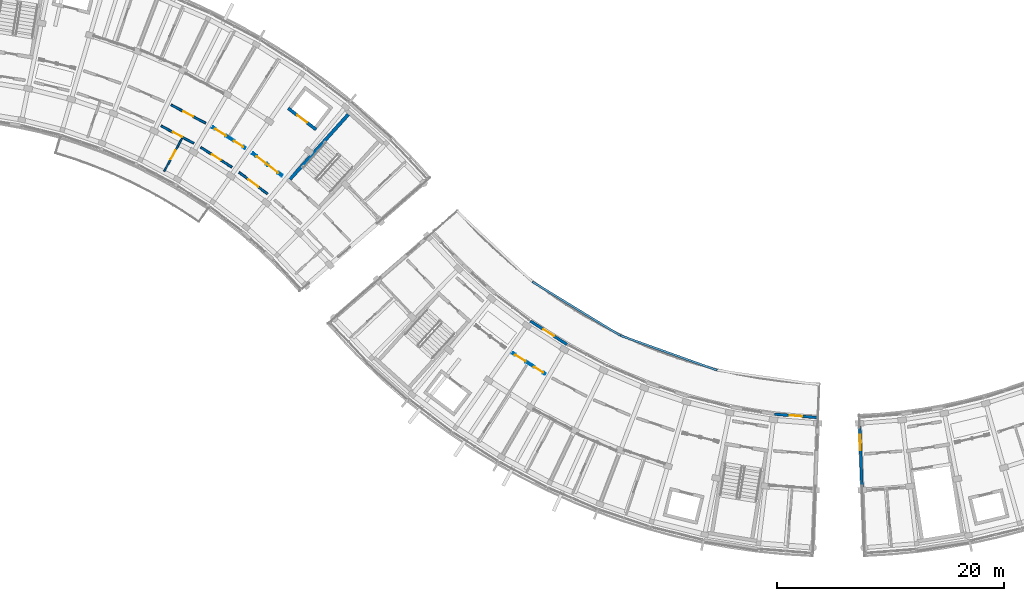
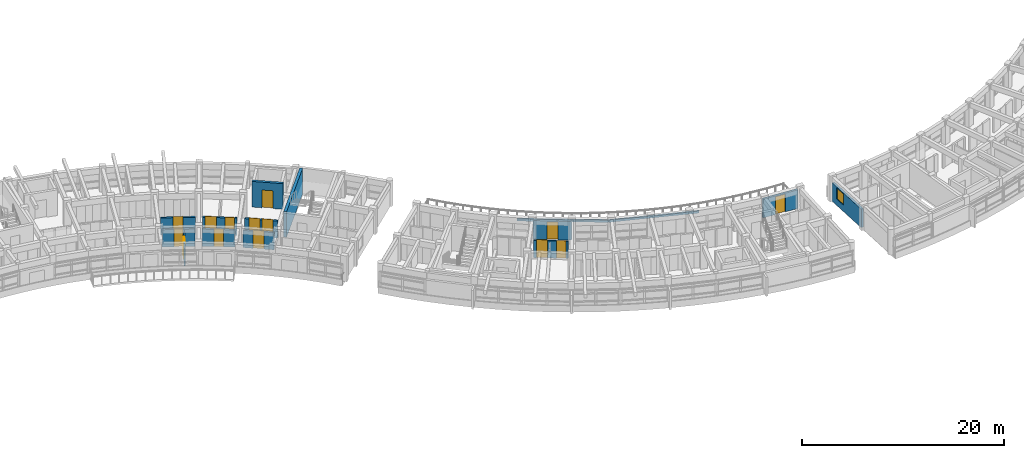
# One storey, part 35 of 54: 15 walls, 14 doors, 1 window, 15 openings.
"""IFC4 building model written with IfcOpenShell, lengths in metres."""

from ifc_helpers import new_model, si_unit, direction, frame, frame_2d, origin, place, context, subcontext, project, spatial, rectangle, extrude, material, layer, layer_set, type_object, element, fill, save


model = new_model("IFC4")

# Units and contexts
model_context = context("Model", 3, precision=1e-05, world=origin(), true_north=direction((0.0, 1.0)))
body_context = subcontext(model_context, "Body", "Model", "MODEL_VIEW")
ifc_project = project(units=[si_unit("LENGTHUNIT", "METRE"), si_unit("AREAUNIT", "SQUARE_METRE"), si_unit("VOLUMEUNIT", "CUBIC_METRE"), si_unit("PLANEANGLEUNIT", "RADIAN"), si_unit("MASSUNIT", "GRAM", prefix="KILO")], contexts=[model_context])

# Site, building, storey
site_placement = place(None, origin())
site = spatial("IfcSite", under=ifc_project, at=site_placement, CompositionType="ELEMENT")
building_placement = place(site_placement, origin())
building = spatial("IfcBuilding", under=site, at=building_placement, Name="Zimvara Arc Housing Community", CompositionType="ELEMENT")
storey_placement = place(building_placement, frame((0.0, 0.0, 23.60009765625)))
storey = spatial("IfcBuildingStorey", under=building, at=storey_placement, Name="L07", CompositionType="ELEMENT", Elevation=23.60009765625)

# Wall, opening, window
ifc_material_1 = material(Name="Board-Marked Fair-Faced Concrete C35/45", Category="concrete")
ifc_layer_1 = layer(ifc_material_1, 0.2548828125)
ifc_layer_set_1 = layer_set([ifc_layer_1], Name="Board-Marked Fair-Faced Concrete C35/45")
wall_type_1 = type_object("IfcWallType", Name="EWL-CONC-255", PredefinedType="SOLIDWALL", material=ifc_layer_set_1)
wall_1_placement = place(storey_placement, frame((127.828857421875, 61.735595703125, 0.0), z_axis=(0.0, 0.0, 1.0), x_axis=(0.038384504742, -0.999263043345, 0.0)))
wall_1 = element("IfcWall", 1, at=wall_1_placement, inside=storey, type_object=wall_type_1, Name="ewall:blkD:L07:g0", PredefinedType="SOLIDWALL", context=body_context, shape_type="SweptSolid", body=[
    extrude(rectangle(XDim=5.39990234375, YDim=0.2548828125, at=frame_2d((2.699951171875, 0.0))), origin(), (0.0, 0.0, 1.0), 2.239990234375),
])
opening_1_placement = place(wall_1_placement, frame((0.7900390625, 0.0, 0.75)))
opening_1 = element("IfcOpeningElement", 2, at=opening_1_placement, cuts=wall_1, Name="Opening W12", PredefinedType="OPENING", context=body_context, shape_type="SweptSolid", body=[
    extrude(rectangle(XDim=1.35009765625, YDim=1.35009765625, at=frame_2d((0.675048828125, 0.675048828125))), frame((0.0, 0.137451171875, 0.0), z_axis=(0.0, -1.0, 0.0), x_axis=(1.0, 0.0, 0.0)), (0.0, 0.0, 1.0), 0.27490234375),
])
ifc_material_2 = material(Name="Solar Control Low-E Double Glazing", Category="glass")
window_type = type_object("IfcWindowType", Name="WIN-RES-1350x1350", PartitioningType="DOUBLE_PANEL_VERTICAL", PredefinedType="WINDOW", material=ifc_material_2)
window_placement = place(opening_1_placement, origin())
window = element("IfcWindow", 3, at=window_placement, inside=storey, type_object=window_type, Name="win:blkD:L07:g0:w", OverallHeight=1.35009765625, OverallWidth=1.35009765625, PartitioningType="DOUBLE_PANEL_VERTICAL", PredefinedType="WINDOW", context=body_context, shape_type="SweptSolid", body=[
    extrude(rectangle(XDim=1.35009765625, YDim=1.35009765625, at=frame_2d((0.675048828125, 0.675048828125))), frame((0.0, 0.030029296875, 0.0), z_axis=(0.0, -1.0, 0.0), x_axis=(1.0, 0.0, 0.0)), (0.0, 0.0, 1.0), 0.06005859375),
])
fill(opening_1, window)

# Walls
ifc_material_3 = material(Name="Board-Marked Fair-Faced Concrete C35/45", Category="concrete")
ifc_layer_2 = layer(ifc_material_3, 0.179931640625)
ifc_layer_set_2 = layer_set([ifc_layer_2], Name="Board-Marked Fair-Faced Concrete C35/45")
wall_type_2 = type_object("IfcWallType", Name="EWL-PARA-180", PredefinedType="PARAPET", material=ifc_layer_set_2)
for number, where, z_axis, x_axis, name in (
    (4, (99.00146484375, 74.445556640625, 0.0), (0.0, 0.0, 1.0), (0.853096916088, -0.521752481317, 0.0), "parapet:blkC:L07:p5"),
    (5, (106.74365234375, 69.71044921875, 0.0), (0.0, 0.0, 1.0), (0.941178218484, -0.337910581443, 0.0), "parapet:blkC:L07:p10"),
):
    element("IfcWall", number, at=place(storey_placement, frame(where, z_axis=z_axis, x_axis=x_axis)), inside=storey, type_object=wall_type_2, Name=name, PredefinedType="PARAPET", context=body_context, shape_type="SweptSolid", body=[
        extrude(rectangle(XDim=9.075439453125, YDim=0.179931640625, at=frame_2d((4.53759765625, 0.0))), origin(), (0.0, 0.0, 1.0), 0.25),
    ])

# Wall, opening, door
ifc_material_4 = material(Name="Pigmented Fair-Faced Concrete C35/45", Category="concrete")
ifc_layer_3 = layer(ifc_material_4, 0.2451171875)
ifc_layer_set_3 = layer_set([ifc_layer_3], Name="Pigmented Fair-Faced Concrete C35/45")
wall_type_3 = type_object("IfcWallType", Name="EWL-PIGM-245", PredefinedType="SOLIDWALL", material=ifc_layer_set_3)
wall_2_placement = place(storey_placement, frame((98.824951171875, 70.986083984375, 0.0), z_axis=(0.0, 0.0, 1.0), x_axis=(0.84225520265, -0.539079004979, 0.0)))
wall_2 = element("IfcWall", 6, at=wall_2_placement, inside=storey, type_object=wall_type_3, Name="ewall:blkC:L07:in:b3", PredefinedType="SOLIDWALL", context=body_context, shape_type="SweptSolid", body=[
    extrude(rectangle(XDim=3.832275390625, YDim=0.2451171875, at=frame_2d((1.916015625, 0.0))), origin(), (0.0, 0.0, 1.0), 2.25),
])
opening_2_placement = place(wall_2_placement, frame((1.3662109375, 0.0, 0.0)))
opening_2 = element("IfcOpeningElement", 7, at=opening_2_placement, cuts=wall_2, Name="Opening ED06", PredefinedType="OPENING", context=body_context, shape_type="SweptSolid", body=[
    extrude(rectangle(XDim=1.10009765625, YDim=2.14990234375, at=frame_2d((0.550048828125, 1.074951171875))), frame((0.0, 0.132568359375, 0.0), z_axis=(0.0, -1.0, 0.0), x_axis=(1.0, 0.0, 0.0)), (0.0, 0.0, 1.0), 0.26513671875),
])
ifc_material_5 = material(Name="Anodised Aluminium AW-6063", Category="aluminium")
door_type_1 = type_object("IfcDoorType", Name="EDR-TERR-1100x2150", OperationType="NOTDEFINED", PredefinedType="DOOR", material=ifc_material_5)
door_1_placement = place(opening_2_placement, origin())
door_1 = element("IfcDoor", 8, at=door_1_placement, inside=storey, type_object=door_type_1, Name="edoor:blkC:L07:terr:b3", OperationType="SINGLE_SWING_LEFT", OverallHeight=2.14990234375, OverallWidth=1.10009765625, PredefinedType="DOOR", context=body_context, shape_type="SweptSolid", body=[
    extrude(rectangle(XDim=1.10009765625, YDim=2.14990234375, at=frame_2d((0.550048828125, 1.074951171875))), frame((0.0, 0.02490234375, 0.0), z_axis=(0.0, -1.0, 0.0), x_axis=(1.0, 0.0, 0.0)), (0.0, 0.0, 1.0), 0.050048828125),
])
fill(opening_2, door_1)

wall_3_placement = place(storey_placement, frame((120.319580078125, 62.77978515625, 0.0), z_axis=(0.0, 0.0, 1.0), x_axis=(0.996864515192, -0.079127355267, 0.0)))
wall_3 = element("IfcWall", 9, at=wall_3_placement, inside=storey, type_object=wall_type_3, Name="ewall:blkC:L07:in:b9", PredefinedType="SOLIDWALL", context=body_context, shape_type="SweptSolid", body=[
    extrude(rectangle(XDim=3.83203125, YDim=0.2451171875, at=frame_2d((1.916015625, 0.0))), origin(), (0.0, 0.0, 1.0), 2.25),
])
opening_3_placement = place(wall_3_placement, frame((1.3662109375, 0.0, 0.0)))
opening_3 = element("IfcOpeningElement", 10, at=opening_3_placement, cuts=wall_3, Name="Opening ED06", PredefinedType="OPENING", context=body_context, shape_type="SweptSolid", body=[
    extrude(rectangle(XDim=1.10009765625, YDim=2.14990234375, at=frame_2d((0.550048828125, 1.074951171875))), frame((0.0, 0.132568359375, 0.0), z_axis=(0.0, -1.0, 0.0), x_axis=(1.0, 0.0, 0.0)), (0.0, 0.0, 1.0), 0.26513671875),
])
door_2_placement = place(opening_3_placement, origin())
door_2 = element("IfcDoor", 11, at=door_2_placement, inside=storey, type_object=door_type_1, Name="edoor:blkC:L07:terr:b9", OperationType="SINGLE_SWING_LEFT", OverallHeight=2.14990234375, OverallWidth=1.10009765625, PredefinedType="DOOR", context=body_context, shape_type="SweptSolid", body=[
    extrude(rectangle(XDim=1.10009765625, YDim=2.14990234375, at=frame_2d((0.550048828125, 1.074951171875))), frame((0.0, 0.02490234375, 0.0), z_axis=(0.0, -1.0, 0.0), x_axis=(1.0, 0.0, 0.0)), (0.0, 0.0, 1.0), 0.050048828125),
])
fill(opening_3, door_2)

# Wall, openings, doors
ifc_material_6 = material(Name="Concrete C35/45", Category="concrete")
ifc_layer_4 = layer(ifc_material_6, 0.2099609375)
ifc_layer_set_4 = layer_set([ifc_layer_4], Name="Concrete C35/45")
wall_type_4 = type_object("IfcWallType", Name="IWL-CCF-210", PredefinedType="SOLIDWALL", material=ifc_layer_set_4)
wall_4_placement = place(storey_placement, frame((74.356689453125, 85.755859375, 0.0), z_axis=(0.0, 0.0, 1.0), x_axis=(0.795498026433, -0.605956178235, 0.0)))
wall_4 = element("IfcWall", 12, at=wall_4_placement, inside=storey, type_object=wall_type_4, Name="iwall:blkB:L07:ll_div:b7", PredefinedType="SOLIDWALL", context=body_context, shape_type="SweptSolid", body=[
    extrude(rectangle(XDim=3.296142578125, YDim=0.2099609375, at=frame_2d((1.64794921875, 0.0))), origin(), (0.0, 0.0, 1.0), 2.079833984375),
])
opening_4_placement = place(wall_4_placement, frame((0.449951171875, 0.0, 0.0)))
opening_4 = element("IfcOpeningElement", 13, at=opening_4_placement, cuts=wall_4, Name="Opening FD-CCF1", PredefinedType="OPENING", context=body_context, shape_type="SweptSolid", body=[
    extrude(rectangle(XDim=1.10009765625, YDim=2.14990234375, at=frame_2d((0.550048828125, 1.074951171875))), frame((0.0, 0.114990234375, 0.0), z_axis=(0.0, -1.0, 0.0), x_axis=(1.0, 0.0, 0.0)), (0.0, 0.0, 1.0), 0.22998046875),
])
opening_5_placement = place(wall_4_placement, frame((1.72607421875, 0.0, 0.0)))
opening_5 = element("IfcOpeningElement", 14, at=opening_5_placement, cuts=wall_4, Name="Opening D07", PredefinedType="OPENING", context=body_context, shape_type="SweptSolid", body=[
    extrude(rectangle(XDim=1.1201171875, YDim=2.14990234375, at=frame_2d((0.56005859375, 1.074951171875))), frame((0.0, 0.114990234375, 0.0), z_axis=(0.0, -1.0, 0.0), x_axis=(1.0, 0.0, 0.0)), (0.0, 0.0, 1.0), 0.22998046875),
])
ifc_material_7 = material(Name="Mozambican Hardwood", Category="wood")
door_type_2 = type_object("IfcDoorType", Name="IDR-AMN-1120x2150", OperationType="NOTDEFINED", PredefinedType="DOOR", material=ifc_material_7)
door_3_placement = place(opening_5_placement, origin())
door_3 = element("IfcDoor", 15, at=door_3_placement, inside=storey, type_object=door_type_2, Name="idoor:blkB:L07:rs_in:b7", OperationType="SINGLE_SWING_RIGHT", OverallHeight=2.14990234375, OverallWidth=1.1201171875, PredefinedType="DOOR", context=body_context, shape_type="SweptSolid", body=[
    extrude(rectangle(XDim=1.1201171875, YDim=2.14990234375, at=frame_2d((0.56005859375, 1.074951171875))), frame((0.0, 0.02490234375, 0.0), z_axis=(0.0, -1.0, 0.0), x_axis=(1.0, 0.0, 0.0)), (0.0, 0.0, 1.0), 0.050048828125),
])
fill(opening_5, door_3)
ifc_material_8 = material(Name="Anodised Aluminium AW-6063", Category="aluminium")
door_type_3 = type_object("IfcDoorType", Name="IDR-CCF-1100x2150", OperationType="NOTDEFINED", PredefinedType="DOOR", material=ifc_material_8)
door_4_placement = place(opening_4_placement, origin())
door_4 = element("IfcDoor", 16, at=door_4_placement, inside=storey, type_object=door_type_3, Name="idoor:blkB:L07:ll_in:b7", OperationType="SINGLE_SWING_LEFT", OverallHeight=2.14990234375, OverallWidth=1.10009765625, PredefinedType="DOOR", context=body_context, shape_type="SweptSolid", body=[
    extrude(rectangle(XDim=1.10009765625, YDim=2.14990234375, at=frame_2d((0.550048828125, 1.074951171875))), frame((0.0, 0.02490234375, 0.0), z_axis=(0.0, -1.0, 0.0), x_axis=(1.0, 0.0, 0.0)), (0.0, 0.0, 1.0), 0.050048828125),
])
fill(opening_4, door_4)

# Wall, opening, door
ifc_material_9 = material(Name="Concrete C35/45", Category="concrete")
ifc_layer_5 = layer(ifc_material_9, 0.18994140625)
ifc_layer_set_5 = layer_set([ifc_layer_5], Name="Concrete C35/45")
wall_type_5 = type_object("IfcWallType", Name="IWL-CORR-190", PredefinedType="SOLIDWALL", material=ifc_layer_set_5)
wall_5_placement = place(storey_placement, frame((67.1943359375, 90.013916015625, 0.0), z_axis=(0.0, 0.0, 1.0), x_axis=(0.883410853063, -0.468599258099, 0.0)))
wall_5 = element("IfcWall", 17, at=wall_5_placement, inside=storey, type_object=wall_type_5, Name="iwall:blkB:L07:corr_out:b5", PredefinedType="SOLIDWALL", context=body_context, shape_type="SweptSolid", body=[
    extrude(rectangle(XDim=3.43603515625, YDim=0.18994140625, at=frame_2d((1.718017578125, 0.0))), origin(), (0.0, 0.0, 1.0), 2.079833984375),
])
opening_6_placement = place(wall_5_placement, frame((1.22802734375, 0.0, 0.0)))
opening_6 = element("IfcOpeningElement", 18, at=opening_6_placement, cuts=wall_5, Name="Opening FD-FL1", PredefinedType="OPENING", context=body_context, shape_type="SweptSolid", body=[
    extrude(rectangle(XDim=0.97998046875, YDim=2.14990234375, at=frame_2d((0.489990234375, 1.074951171875))), frame((0.0, 0.10498046875, 0.0), z_axis=(0.0, -1.0, 0.0), x_axis=(1.0, 0.0, 0.0)), (0.0, 0.0, 1.0), 0.2099609375),
])
ifc_material_10 = material(Name="Mozambican Hardwood", Category="wood")
door_type_4 = type_object("IfcDoorType", Name="IDR-FLAT-0980x2150", OperationType="NOTDEFINED", PredefinedType="DOOR", material=ifc_material_10)
door_5_placement = place(opening_6_placement, origin())
door_5 = element("IfcDoor", 19, at=door_5_placement, inside=storey, type_object=door_type_4, Name="idoor:blkB:L07:flat:b5", OperationType="SINGLE_SWING_LEFT", OverallHeight=2.14990234375, OverallWidth=0.97998046875, PredefinedType="DOOR", context=body_context, shape_type="SweptSolid", body=[
    extrude(rectangle(XDim=0.97998046875, YDim=2.14990234375, at=frame_2d((0.489990234375, 1.074951171875))), frame((0.0, 0.02490234375, 0.0), z_axis=(0.0, -1.0, 0.0), x_axis=(1.0, 0.0, 0.0)), (0.0, 0.0, 1.0), 0.050048828125),
])
fill(opening_6, door_5)

wall_6_placement = place(storey_placement, frame((66.30859375, 88.1650390625, 0.0), z_axis=(0.0, 0.0, 1.0), x_axis=(0.883444301944, -0.468536194293, 0.0)))
wall_6 = element("IfcWall", 20, at=wall_6_placement, inside=storey, type_object=wall_type_5, Name="iwall:blkB:L07:corr_in:b5", PredefinedType="SOLIDWALL", context=body_context, shape_type="SweptSolid", body=[
    extrude(rectangle(XDim=3.268798828125, YDim=0.18994140625, at=frame_2d((1.63427734375, 0.0))), origin(), (0.0, 0.0, 1.0), 2.079833984375),
])
opening_7_placement = place(wall_6_placement, frame((1.184326171875, 0.0, 0.0)))
opening_7 = element("IfcOpeningElement", 21, at=opening_7_placement, cuts=wall_6, Name="Opening D01", PredefinedType="OPENING", context=body_context, shape_type="SweptSolid", body=[
    extrude(rectangle(XDim=0.89990234375, YDim=2.10009765625, at=frame_2d((0.449951171875, 1.050048828125))), frame((0.0, 0.10498046875, 0.0), z_axis=(0.0, -1.0, 0.0), x_axis=(1.0, 0.0, 0.0)), (0.0, 0.0, 1.0), 0.2099609375),
])
ifc_material_11 = material(Name="Mozambican Hardwood", Category="wood")
door_type_5 = type_object("IfcDoorType", Name="IDR-RM-0900x2100", OperationType="NOTDEFINED", PredefinedType="DOOR", material=ifc_material_11)
door_6_placement = place(opening_7_placement, origin())
door_6 = element("IfcDoor", 22, at=door_6_placement, inside=storey, type_object=door_type_5, Name="idoor:blkB:L07:in_rm:b5", OperationType="SINGLE_SWING_RIGHT", OverallHeight=2.10009765625, OverallWidth=0.89990234375, PredefinedType="DOOR", context=body_context, shape_type="SweptSolid", body=[
    extrude(rectangle(XDim=0.89990234375, YDim=2.10009765625, at=frame_2d((0.449951171875, 1.050048828125))), frame((0.0, 0.02490234375, 0.0), z_axis=(0.0, -1.0, 0.0), x_axis=(1.0, 0.0, 0.0)), (0.0, 0.0, 1.0), 0.050048828125),
])
fill(opening_7, door_6)

# Wall, openings, doors
wall_7_placement = place(storey_placement, frame((70.833740234375, 88.05126953125, 0.0), z_axis=(0.0, 0.0, 1.0), x_axis=(0.842257205985, -0.539075874963, 0.0)))
wall_7 = element("IfcWall", 23, at=wall_7_placement, inside=storey, type_object=wall_type_5, Name="iwall:blkB:L07:corr_out:b6", PredefinedType="SOLIDWALL", context=body_context, shape_type="SweptSolid", body=[
    extrude(rectangle(XDim=3.43603515625, YDim=0.18994140625, at=frame_2d((1.718017578125, 0.0))), origin(), (0.0, 0.0, 1.0), 2.079833984375),
])
opening_8_placement = place(wall_7_placement, frame((0.280029296875, 0.0, 0.0)))
opening_8 = element("IfcOpeningElement", 24, at=opening_8_placement, cuts=wall_7, Name="Opening D07", PredefinedType="OPENING", context=body_context, shape_type="SweptSolid", body=[
    extrude(rectangle(XDim=1.1201171875, YDim=2.14990234375, at=frame_2d((0.56005859375, 1.074951171875))), frame((0.0, 0.10498046875, 0.0), z_axis=(0.0, -1.0, 0.0), x_axis=(1.0, 0.0, 0.0)), (0.0, 0.0, 1.0), 0.2099609375),
])
opening_9_placement = place(wall_7_placement, frame((2.26611328125, 0.0, 0.0)))
opening_9 = element("IfcOpeningElement", 25, at=opening_9_placement, cuts=wall_7, Name="Opening D06", PredefinedType="OPENING", context=body_context, shape_type="SweptSolid", body=[
    extrude(rectangle(XDim=0.949951171875, YDim=2.10009765625, at=frame_2d((0.47509765625, 1.050048828125))), frame((0.0, 0.10498046875, 0.0), z_axis=(0.0, -1.0, 0.0), x_axis=(1.0, 0.0, 0.0)), (0.0, 0.0, 1.0), 0.2099609375),
])
door_7_placement = place(opening_8_placement, origin())
door_7 = element("IfcDoor", 26, at=door_7_placement, inside=storey, type_object=door_type_2, Name="idoor:blkB:L07:amen:b6", OperationType="SINGLE_SWING_LEFT", OverallHeight=2.14990234375, OverallWidth=1.1201171875, PredefinedType="DOOR", context=body_context, shape_type="SweptSolid", body=[
    extrude(rectangle(XDim=1.1201171875, YDim=2.14990234375, at=frame_2d((0.56005859375, 1.074951171875))), frame((0.0, 0.02490234375, 0.0), z_axis=(0.0, -1.0, 0.0), x_axis=(1.0, 0.0, 0.0)), (0.0, 0.0, 1.0), 0.050048828125),
])
fill(opening_8, door_7)
ifc_material_12 = material(Name="Mozambican Hardwood", Category="wood")
door_type_6 = type_object("IfcDoorType", Name="IDR-AWC-0950x2100", OperationType="NOTDEFINED", PredefinedType="DOOR", material=ifc_material_12)
door_8_placement = place(opening_9_placement, origin())
door_8 = element("IfcDoor", 27, at=door_8_placement, inside=storey, type_object=door_type_6, Name="idoor:blkB:L07:cawc:b6", OperationType="SINGLE_SWING_RIGHT", OverallHeight=2.10009765625, OverallWidth=0.949951171875, PredefinedType="DOOR", context=body_context, shape_type="SweptSolid", body=[
    extrude(rectangle(XDim=0.949951171875, YDim=2.10009765625, at=frame_2d((0.47509765625, 1.050048828125))), frame((0.0, 0.02490234375, 0.0), z_axis=(0.0, -1.0, 0.0), x_axis=(1.0, 0.0, 0.0)), (0.0, 0.0, 1.0), 0.050048828125),
])
fill(opening_9, door_8)

# Wall, opening, door
wall_8_placement = place(storey_placement, frame((69.80029296875, 86.281005859375, 0.0), z_axis=(0.0, 0.0, 1.0), x_axis=(0.842225276846, -0.539125758095, 0.0)))
wall_8 = element("IfcWall", 28, at=wall_8_placement, inside=storey, type_object=wall_type_5, Name="iwall:blkB:L07:corr_in:b6", PredefinedType="SOLIDWALL", context=body_context, shape_type="SweptSolid", body=[
    extrude(rectangle(XDim=3.2685546875, YDim=0.18994140625, at=frame_2d((1.63427734375, 0.0))), origin(), (0.0, 0.0, 1.0), 2.079833984375),
])
opening_10_placement = place(wall_8_placement, frame((1.17431640625, 0.0, 0.0)))
opening_10 = element("IfcOpeningElement", 29, at=opening_10_placement, cuts=wall_8, Name="Opening D02", PredefinedType="OPENING", context=body_context, shape_type="SweptSolid", body=[
    extrude(rectangle(XDim=0.919921875, YDim=2.10009765625, at=frame_2d((0.4599609375, 1.050048828125))), frame((0.0, 0.10498046875, 0.0), z_axis=(0.0, -1.0, 0.0), x_axis=(1.0, 0.0, 0.0)), (0.0, 0.0, 1.0), 0.2099609375),
])
ifc_material_13 = material(Name="Mozambican Hardwood", Category="wood")
door_type_7 = type_object("IfcDoorType", Name="IDR-RM-0920x2100", OperationType="NOTDEFINED", PredefinedType="DOOR", material=ifc_material_13)
door_9_placement = place(opening_10_placement, origin())
door_9 = element("IfcDoor", 30, at=door_9_placement, inside=storey, type_object=door_type_7, Name="idoor:blkB:L07:in_rm:b6", OperationType="SINGLE_SWING_LEFT", OverallHeight=2.10009765625, OverallWidth=0.919921875, PredefinedType="DOOR", context=body_context, shape_type="SweptSolid", body=[
    extrude(rectangle(XDim=0.919921875, YDim=2.10009765625, at=frame_2d((0.4599609375, 1.050048828125))), frame((0.0, 0.02490234375, 0.0), z_axis=(0.0, -1.0, 0.0), x_axis=(1.0, 0.0, 0.0)), (0.0, 0.0, 1.0), 0.050048828125),
])
fill(opening_10, door_9)

wall_9_placement = place(storey_placement, frame((73.18212890625, 84.07568359375, 0.0), z_axis=(0.0, 0.0, 1.0), x_axis=(0.795501577908, -0.605951515838, 0.0)))
wall_9 = element("IfcWall", 31, at=wall_9_placement, inside=storey, type_object=wall_type_5, Name="iwall:blkB:L07:ra_div:b7", PredefinedType="SOLIDWALL", context=body_context, shape_type="SweptSolid", body=[
    extrude(rectangle(XDim=3.128662109375, YDim=0.18994140625, at=frame_2d((1.564453125, 0.0))), origin(), (0.0, 0.0, 1.0), 2.079833984375),
])
opening_11_placement = place(wall_9_placement, frame((1.00439453125, 0.0, 0.0)))
opening_11 = element("IfcOpeningElement", 32, at=opening_11_placement, cuts=wall_9, Name="Opening D07", PredefinedType="OPENING", context=body_context, shape_type="SweptSolid", body=[
    extrude(rectangle(XDim=1.1201171875, YDim=2.14990234375, at=frame_2d((0.56005859375, 1.074951171875))), frame((0.0, 0.10498046875, 0.0), z_axis=(0.0, -1.0, 0.0), x_axis=(1.0, 0.0, 0.0)), (0.0, 0.0, 1.0), 0.2099609375),
])
door_10_placement = place(opening_11_placement, origin())
door_10 = element("IfcDoor", 33, at=door_10_placement, inside=storey, type_object=door_type_2, Name="idoor:blkB:L07:ra_d:b7", OperationType="SINGLE_SWING_LEFT", OverallHeight=2.14990234375, OverallWidth=1.1201171875, PredefinedType="DOOR", context=body_context, shape_type="SweptSolid", body=[
    extrude(rectangle(XDim=1.1201171875, YDim=2.14990234375, at=frame_2d((0.56005859375, 1.074951171875))), frame((0.0, 0.02490234375, 0.0), z_axis=(0.0, -1.0, 0.0), x_axis=(1.0, 0.0, 0.0)), (0.0, 0.0, 1.0), 0.050048828125),
])
fill(opening_11, door_10)

# Wall, openings, doors
wall_10_placement = place(storey_placement, frame((97.252197265625, 68.160888671875, 0.0), z_axis=(0.0, 0.0, 1.0), x_axis=(0.842289466461, -0.53902546757, 0.0)))
wall_10 = element("IfcWall", 34, at=wall_10_placement, inside=storey, type_object=wall_type_5, Name="iwall:blkC:L07:corr_out:b3", PredefinedType="SOLIDWALL", context=body_context, shape_type="SweptSolid", body=[
    extrude(rectangle(XDim=3.43603515625, YDim=0.18994140625, at=frame_2d((1.718017578125, 0.0))), origin(), (0.0, 0.0, 1.0), 2.079833984375),
])
opening_12_placement = place(wall_10_placement, frame((0.280029296875, 0.0, 0.0)))
opening_12 = element("IfcOpeningElement", 35, at=opening_12_placement, cuts=wall_10, Name="Opening D07", PredefinedType="OPENING", context=body_context, shape_type="SweptSolid", body=[
    extrude(rectangle(XDim=1.1201171875, YDim=2.14990234375, at=frame_2d((0.56005859375, 1.074951171875))), frame((0.0, 0.10498046875, 0.0), z_axis=(0.0, -1.0, 0.0), x_axis=(1.0, 0.0, 0.0)), (0.0, 0.0, 1.0), 0.2099609375),
])
opening_13_placement = place(wall_10_placement, frame((2.26611328125, 0.0, 0.0)))
opening_13 = element("IfcOpeningElement", 36, at=opening_13_placement, cuts=wall_10, Name="Opening D06", PredefinedType="OPENING", context=body_context, shape_type="SweptSolid", body=[
    extrude(rectangle(XDim=0.949951171875, YDim=2.10009765625, at=frame_2d((0.47509765625, 1.050048828125))), frame((0.0, 0.10498046875, 0.0), z_axis=(0.0, -1.0, 0.0), x_axis=(1.0, 0.0, 0.0)), (0.0, 0.0, 1.0), 0.2099609375),
])
door_11_placement = place(opening_12_placement, origin())
door_11 = element("IfcDoor", 37, at=door_11_placement, inside=storey, type_object=door_type_2, Name="idoor:blkC:L07:amen:b3", OperationType="SINGLE_SWING_LEFT", OverallHeight=2.14990234375, OverallWidth=1.1201171875, PredefinedType="DOOR", context=body_context, shape_type="SweptSolid", body=[
    extrude(rectangle(XDim=1.1201171875, YDim=2.14990234375, at=frame_2d((0.56005859375, 1.074951171875))), frame((0.0, 0.02490234375, 0.0), z_axis=(0.0, -1.0, 0.0), x_axis=(1.0, 0.0, 0.0)), (0.0, 0.0, 1.0), 0.050048828125),
])
fill(opening_12, door_11)
door_12_placement = place(opening_13_placement, origin())
door_12 = element("IfcDoor", 38, at=door_12_placement, inside=storey, type_object=door_type_6, Name="idoor:blkC:L07:cawc:b3", OperationType="SINGLE_SWING_RIGHT", OverallHeight=2.10009765625, OverallWidth=0.949951171875, PredefinedType="DOOR", context=body_context, shape_type="SweptSolid", body=[
    extrude(rectangle(XDim=0.949951171875, YDim=2.10009765625, at=frame_2d((0.47509765625, 1.050048828125))), frame((0.0, 0.02490234375, 0.0), z_axis=(0.0, -1.0, 0.0), x_axis=(1.0, 0.0, 0.0)), (0.0, 0.0, 1.0), 0.050048828125),
])
fill(opening_13, door_12)

# Wall, opening, door
ifc_material_14 = material(Name="Painted Acoustic Plasterboard")
ifc_layer_6 = layer(ifc_material_14, 0.14501953125)
ifc_layer_set_6 = layer_set([ifc_layer_6], Name="Painted Acoustic Plasterboard")
wall_type_6 = type_object("IfcWallType", Name="IWL-WET-145", PredefinedType="PARTITIONING", material=ifc_layer_set_6)
wall_11_placement = place(storey_placement, frame((66.57470703125, 84.16162109375, 0.0), z_axis=(0.0, 0.0, 1.0), x_axis=(0.477841058477, 0.878446311868, 0.0)))
wall_11 = element("IfcWall", 39, at=wall_11_placement, inside=storey, type_object=wall_type_6, Name="iwall:blkB:L07:ens:b5", PredefinedType="PARTITIONING", context=body_context, shape_type="SweptSolid", body=[
    extrude(rectangle(XDim=3.300048828125, YDim=0.14501953125, at=frame_2d((1.64990234375, 0.0))), origin(), (0.0, 0.0, 1.0), 2.079833984375),
])
opening_14_placement = place(wall_11_placement, frame((1.2099609375, 0.0, 0.0)))
opening_14 = element("IfcOpeningElement", 40, at=opening_14_placement, cuts=wall_11, Name="Opening D05", PredefinedType="OPENING", context=body_context, shape_type="SweptSolid", body=[
    extrude(rectangle(XDim=0.8798828125, YDim=2.10009765625, at=frame_2d((0.43994140625, 1.050048828125))), frame((0.0, 0.08251953125, 0.0), z_axis=(0.0, -1.0, 0.0), x_axis=(1.0, 0.0, 0.0)), (0.0, 0.0, 1.0), 0.1650390625),
])
ifc_material_15 = material(Name="Mozambican Hardwood", Category="wood")
door_type_8 = type_object("IfcDoorType", Name="IDR-WC-0880x2100", OperationType="NOTDEFINED", PredefinedType="DOOR", material=ifc_material_15)
door_13_placement = place(opening_14_placement, origin())
door_13 = element("IfcDoor", 41, at=door_13_placement, inside=storey, type_object=door_type_8, Name="idoor:blkB:L07:ens_d:b5", OperationType="SINGLE_SWING_LEFT", OverallHeight=2.10009765625, OverallWidth=0.8798828125, PredefinedType="DOOR", context=body_context, shape_type="SweptSolid", body=[
    extrude(rectangle(XDim=0.8798828125, YDim=2.10009765625, at=frame_2d((0.43994140625, 1.050048828125))), frame((0.0, 0.02490234375, 0.0), z_axis=(0.0, -1.0, 0.0), x_axis=(1.0, 0.0, 0.0)), (0.0, 0.0, 1.0), 0.050048828125),
])
fill(opening_14, door_13)

ifc_material_16 = material(Name="Concrete C40/50", Category="concrete")
ifc_layer_7 = layer(ifc_material_16, 0.280029296875)
ifc_layer_set_7 = layer_set([ifc_layer_7], Name="Concrete C40/50")
wall_type_7 = type_object("IfcWallType", Name="WL-CORE-280", PredefinedType="SHEAR", material=ifc_layer_set_7)
wall_12_placement = place(storey_placement, frame((79.96142578125, 87.84375, 0.0), z_axis=(0.0, 0.0, 1.0), x_axis=(-0.795464365424, 0.606000365793, 0.0)))
wall_12 = element("IfcWall", 42, at=wall_12_placement, inside=storey, type_object=wall_type_7, Name="lwall:LP-B2:L07:front", PredefinedType="SHEAR", context=body_context, shape_type="SweptSolid", body=[
    extrude(rectangle(XDim=3.090087890625, YDim=0.280029296875, at=frame_2d((1.544921875, 0.0))), origin(), (0.0, 0.0, 1.0), 3.099853515625),
])
opening_15_placement = place(wall_12_placement, frame((0.9951171875, 0.0, 0.0)))
opening_15 = element("IfcOpeningElement", 43, at=opening_15_placement, cuts=wall_12, Name="Opening LD-LP-B2", PredefinedType="OPENING", context=body_context, shape_type="SweptSolid", body=[
    extrude(rectangle(XDim=1.10009765625, YDim=2.14990234375, at=frame_2d((0.550048828125, 1.074951171875))), frame((0.0, 0.14990234375, 0.0), z_axis=(0.0, -1.0, 0.0), x_axis=(1.0, 0.0, 0.0)), (0.0, 0.0, 1.0), 0.300048828125),
])
ifc_material_17 = material(Name="Anodised Aluminium AW-6063", Category="aluminium")
door_type_9 = type_object("IfcDoorType", Name="IDR-LD-1100x2150", OperationType="DOUBLE_DOOR_SLIDING", PredefinedType="DOOR", material=ifc_material_17)
door_14_placement = place(opening_15_placement, origin())
door_14 = element("IfcDoor", 44, at=door_14_placement, inside=storey, type_object=door_type_9, Name="Lift LP-B2 Sliding Landing Door L07", OperationType="DOUBLE_DOOR_SLIDING", OverallHeight=2.14990234375, OverallWidth=1.10009765625, PredefinedType="DOOR", context=body_context, shape_type="SweptSolid", body=[
    extrude(rectangle(XDim=1.10009765625, YDim=2.14990234375, at=frame_2d((0.550048828125, 1.074951171875))), frame((0.0, 0.02490234375, 0.0), z_axis=(0.0, -1.0, 0.0), x_axis=(1.0, 0.0, 0.0)), (0.0, 0.0, 1.0), 0.050048828125),
])
fill(opening_15, door_14)

# Wall
ifc_material_18 = material(Name="Concrete C40/50", Category="concrete")
ifc_layer_8 = layer(ifc_material_18, 0.300048828125)
ifc_layer_set_8 = layer_set([ifc_layer_8], Name="Concrete C40/50")
wall_type_8 = type_object("IfcWallType", Name="WL-CORE-300", PredefinedType="SHEAR", material=ifc_layer_set_8)
wall_13_placement = place(storey_placement, frame((77.655029296875, 83.461181640625, 0.0), z_axis=(0.0, 0.0, 1.0), x_axis=(0.668868253964, 0.743380964808, 0.0)))
element("IfcWall", 45, at=wall_13_placement, inside=storey, type_object=wall_type_8, Name="cwall:ST-B2:L07:right", PredefinedType="SHEAR", context=body_context, shape_type="SweptSolid", body=[
    extrude(rectangle(XDim=7.68994140625, YDim=0.300048828125, at=frame_2d((3.844970703125, 0.0))), origin(), (0.0, 0.0, 1.0), 3.099853515625),
])

save(model, "model.ifc")
